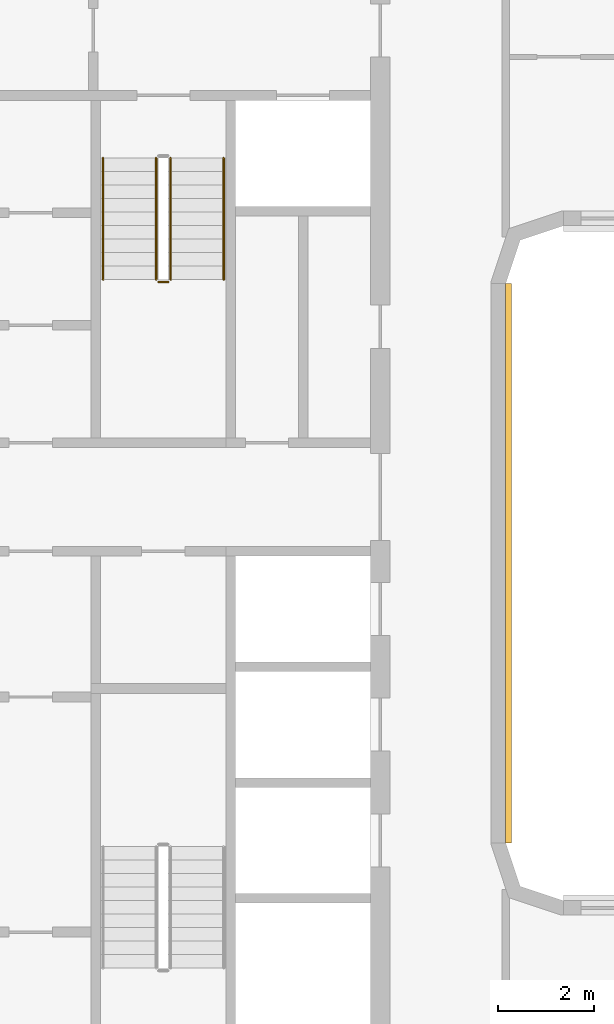
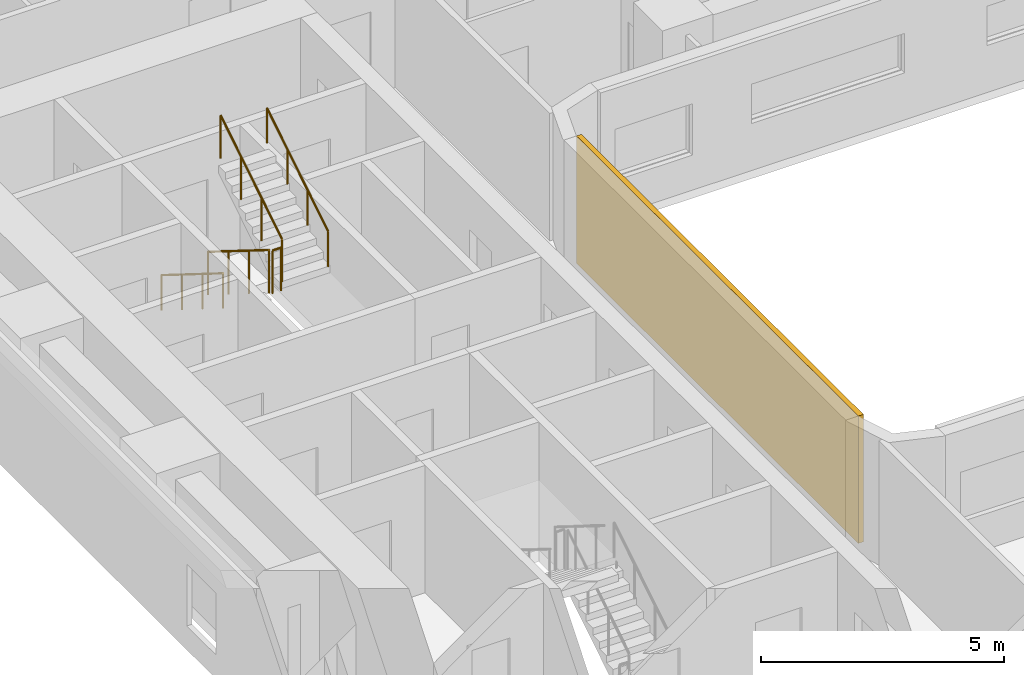
# One storey, part 15 of 21: 5 railings, 1 covering.
"""IFC4 building model written with IfcOpenShell, lengths in metres."""

from ifc_helpers import new_model, si_unit, direction, frame, origin, origin_2d, place, context, subcontext, project, spatial, polyline, circle, outline, extrude, material, layer, layer_set, type_object, element, save


model = new_model("IFC4")

# Units and contexts
model_context = context("Model", 3, precision=1e-05, world=origin(), true_north=direction((0.0, 1.0)))
body_context = subcontext(model_context, "Body", "Model", "MODEL_VIEW")
ifc_project = project(units=[si_unit("LENGTHUNIT", "METRE"), si_unit("AREAUNIT", "SQUARE_METRE"), si_unit("VOLUMEUNIT", "CUBIC_METRE"), si_unit("PLANEANGLEUNIT", "RADIAN"), si_unit("MASSUNIT", "GRAM", prefix="KILO")], contexts=[model_context])

# Site, building, storey
site_placement = place(None, origin())
site = spatial("IfcSite", under=ifc_project, at=site_placement, CompositionType="ELEMENT")
building_placement = place(site_placement, origin())
building = spatial("IfcBuilding", under=site, at=building_placement, Name="Kiln Ring Residences", CompositionType="ELEMENT")
storey_placement = place(building_placement, frame((0.0, 0.0, 41.0)))
storey = spatial("IfcBuildingStorey", under=building, at=storey_placement, Name="L09", CompositionType="ELEMENT", Elevation=41.0)

# Railings
ifc_material_1 = material(Name="Stainless steel", Category="steel")
railing_type_1 = type_object("IfcRailingType", Name="CORE-STAIR-GUARD", PredefinedType="GUARDRAIL", material=ifc_material_1)
railing_1_placement = place(storey_placement, frame((-22.25, 8.39990234375, 0.175048828125)))
element("IfcRailing", 1, at=railing_1_placement, inside=storey, type_object=railing_type_1, Name="L09 W-STN stair guard 1", PredefinedType="GUARDRAIL", context=body_context, shape_type="SweptSolid", body=[
    extrude(circle(Radius=0.02392578125, at=origin_2d()), frame((0.0, 0.0, 1.076171875), z_axis=(0.0, -0.848007534815, 0.529984170421), x_axis=(1.0, 0.0, 0.0)), (0.0, 0.0, 1.0), 2.9716796875),
    extrude(circle(Radius=0.02099609375, at=origin_2d()), origin(), (0.0, 0.0, 1.0), 1.052001953125),
    extrude(circle(Radius=0.02099609375, at=origin_2d()), frame((0.0, -0.840087890625, 0.52490234375)), (0.0, 0.0, 1.0), 1.052001953125),
    extrude(circle(Radius=0.02099609375, at=origin_2d()), frame((0.0, -1.679931640625, 1.050048828125)), (0.0, 0.0, 1.0), 1.052001953125),
    extrude(circle(Radius=0.02099609375, at=origin_2d()), frame((0.0, -2.52001953125, 1.574951171875)), (0.0, 0.0, 1.0), 1.052001953125),
])
railing_2_placement = place(storey_placement, frame((-22.199951171875, 5.830078125, 1.75)))
element("IfcRailing", 2, at=railing_2_placement, inside=storey, type_object=railing_type_1, Name="L09 W-STN stair guard 2", PredefinedType="GUARDRAIL", context=body_context, shape_type="SweptSolid", body=[
    extrude(circle(Radius=0.02392578125, at=origin_2d()), frame((0.0, 0.0, 1.076171875), z_axis=(1.0, 0.0, 0.0), x_axis=(0.0, 1.0, 0.0)), (0.0, 0.0, 1.0), 0.199951171875),
    extrude(circle(Radius=0.02099609375, at=origin_2d()), origin(), (0.0, 0.0, 1.0), 1.052001953125),
    extrude(circle(Radius=0.02099609375, at=origin_2d()), frame((0.199951171875, 0.0, 0.0)), (0.0, 0.0, 1.0), 1.052001953125),
])
railing_3_placement = place(storey_placement, frame((-21.949951171875, 5.8798828125, 1.925048828125)))
element("IfcRailing", 3, at=railing_3_placement, inside=storey, type_object=railing_type_1, Name="L09 W-STN stair guard 3", PredefinedType="GUARDRAIL", context=body_context, shape_type="SweptSolid", body=[
    extrude(circle(Radius=0.02392578125, at=origin_2d()), frame((0.0, 0.0, 1.076171875), z_axis=(0.0, 0.848007534815, 0.529984170421), x_axis=(-1.0, 0.0, 0.0)), (0.0, 0.0, 1.0), 2.9716796875),
    extrude(circle(Radius=0.02099609375, at=origin_2d()), origin(), (0.0, 0.0, 1.0), 1.052001953125),
    extrude(circle(Radius=0.02099609375, at=origin_2d()), frame((0.0, 0.840087890625, 0.52490234375)), (0.0, 0.0, 1.0), 1.052001953125),
    extrude(circle(Radius=0.02099609375, at=origin_2d()), frame((0.0, 1.679931640625, 1.050048828125)), (0.0, 0.0, 1.0), 1.052001953125),
    extrude(circle(Radius=0.02099609375, at=origin_2d()), frame((0.0, 2.52001953125, 1.574951171875)), (0.0, 0.0, 1.0), 1.052001953125),
])
ifc_material_2 = material(Name="Stainless steel", Category="steel")
railing_type_2 = type_object("IfcRailingType", Name="CORE-STAIR-HANDRAIL", PredefinedType="HANDRAIL", material=ifc_material_2)
railing_4_placement = place(storey_placement, frame((-23.35009765625, 8.39990234375, 0.175048828125)))
element("IfcRailing", 4, at=railing_4_placement, inside=storey, type_object=railing_type_2, Name="L09 W-STN stair handrail 1", PredefinedType="HANDRAIL", context=body_context, shape_type="SweptSolid", body=[
    extrude(circle(Radius=0.02392578125, at=origin_2d()), frame((0.0, 0.0, 0.8759765625), z_axis=(0.0, -0.848007534815, 0.529984170421), x_axis=(1.0, 0.0, 0.0)), (0.0, 0.0, 1.0), 2.9716796875),
    extrude(circle(Radius=0.02099609375, at=origin_2d()), origin(), (0.0, 0.0, 1.0), 0.851806640625),
    extrude(circle(Radius=0.02099609375, at=origin_2d()), frame((0.0, -0.840087890625, 0.52490234375)), (0.0, 0.0, 1.0), 0.851806640625),
    extrude(circle(Radius=0.02099609375, at=origin_2d()), frame((0.0, -1.679931640625, 1.050048828125)), (0.0, 0.0, 1.0), 0.851806640625),
    extrude(circle(Radius=0.02099609375, at=origin_2d()), frame((0.0, -2.52001953125, 1.574951171875)), (0.0, 0.0, 1.0), 0.851806640625),
])
railing_5_placement = place(storey_placement, frame((-20.85009765625, 5.8798828125, 1.925048828125)))
element("IfcRailing", 5, at=railing_5_placement, inside=storey, type_object=railing_type_2, Name="L09 W-STN stair handrail 2", PredefinedType="HANDRAIL", context=body_context, shape_type="SweptSolid", body=[
    extrude(circle(Radius=0.02392578125, at=origin_2d()), frame((0.0, 0.0, 0.8759765625), z_axis=(0.0, 0.848007534815, 0.529984170421), x_axis=(-1.0, 0.0, 0.0)), (0.0, 0.0, 1.0), 2.9716796875),
    extrude(circle(Radius=0.02099609375, at=origin_2d()), origin(), (0.0, 0.0, 1.0), 0.851806640625),
    extrude(circle(Radius=0.02099609375, at=origin_2d()), frame((0.0, 0.840087890625, 0.52490234375)), (0.0, 0.0, 1.0), 0.851806640625),
    extrude(circle(Radius=0.02099609375, at=origin_2d()), frame((0.0, 1.679931640625, 1.050048828125)), (0.0, 0.0, 1.0), 0.851806640625),
    extrude(circle(Radius=0.02099609375, at=origin_2d()), frame((0.0, 2.52001953125, 1.574951171875)), (0.0, 0.0, 1.0), 0.851806640625),
])

# Covering
ifc_material_3 = material(Name="Brick masonry, dark clay brick", Category="masonry")
ifc_layer = layer(ifc_material_3, 0.1201171875)
ifc_layer_set = layer_set([ifc_layer], Name="RAINSCREEN PANEL 120")
covering_type = type_object("IfcCoveringType", Name="RAINSCREEN PANEL 120", PredefinedType="CLADDING", material=ifc_layer_set)
covering_placement = place(storey_placement, frame((-14.93994140625, -5.800048828125, 0.0), z_axis=(0.0, 0.0, 1.0), x_axis=(0.0, 1.0, 0.0)))
element("IfcCovering", 6, at=covering_placement, inside=storey, type_object=covering_type, Name="RAINSCREEN L09", PredefinedType="CLADDING", context=body_context, shape_type="SweptSolid", body=[
    extrude(outline(polyline([(0.0, 0.0), (11.60009765625, 0.0), (11.60009765625, 3.199951171875), (0.0, 3.199951171875), (0.0, 0.0)])), frame((0.0, 0.06005859375, 0.0), z_axis=(0.0, -1.0, 0.0), x_axis=(1.0, 0.0, 0.0)), (0.0, 0.0, 1.0), 0.1201171875),
])

save(model, "model.ifc")
